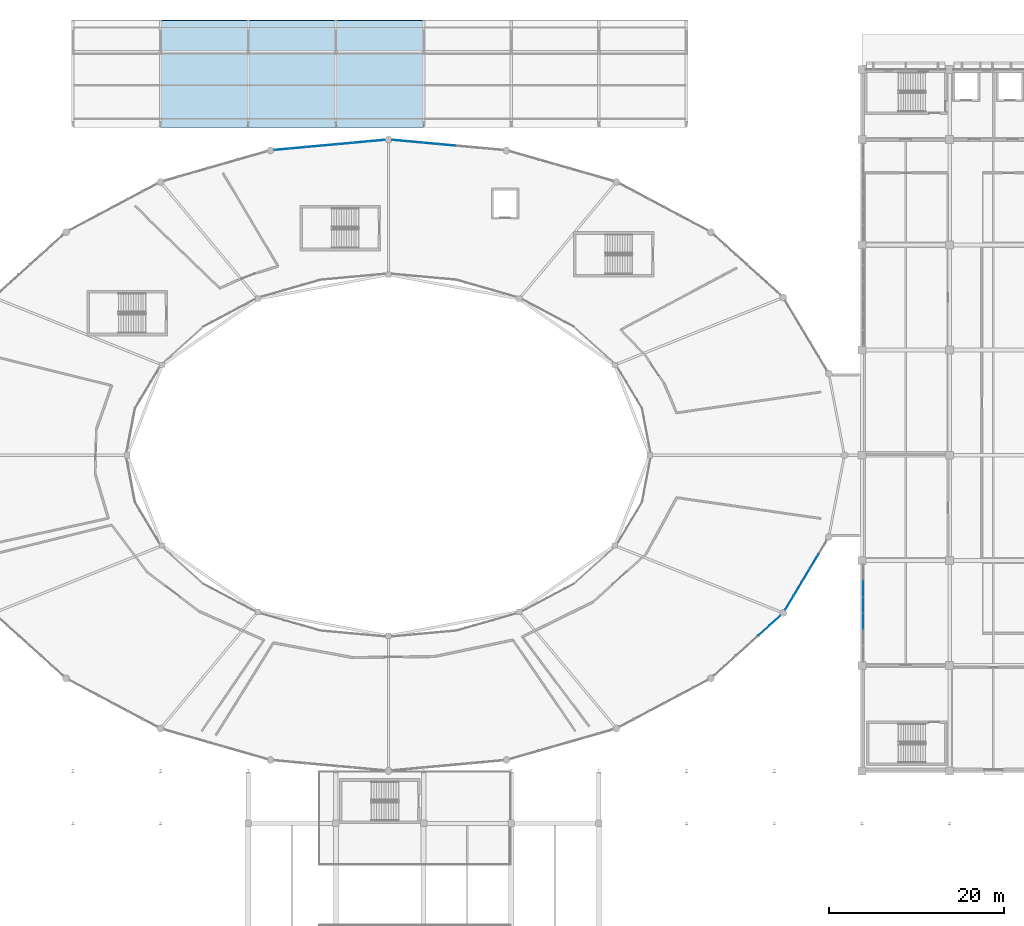
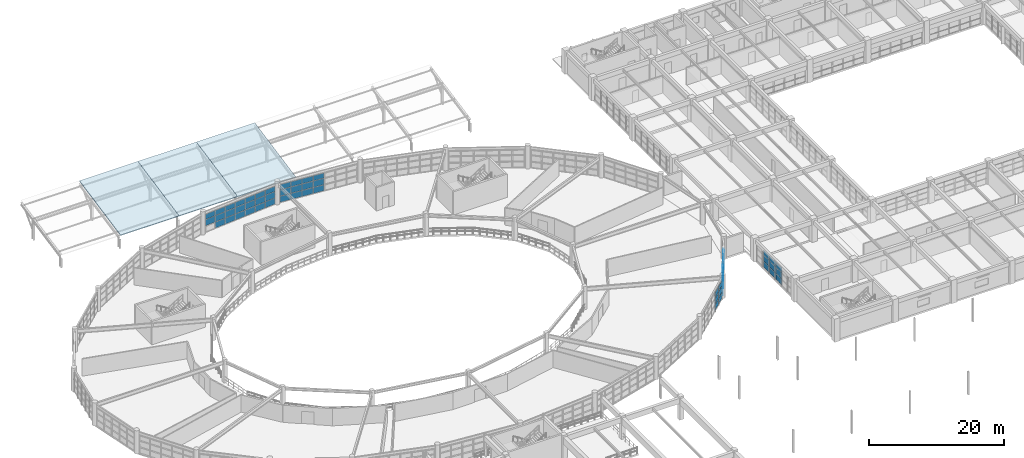
# One storey, part 67 of 100: 59 plates, 3 slabs, 6 elements without a shape of their own.
"""IFC4 building model written with IfcOpenShell, lengths in metres."""

from ifc_helpers import new_model, si_unit, direction, frame, origin, origin_2d, place, context, subcontext, project, spatial, polyline, rectangle, outline, extrude, material, layer, layer_set, type_object, element, aggregate, save


model = new_model("IFC4")

# Units and contexts
model_context = context("Model", 3, precision=1e-05, world=origin(), true_north=direction((0.0, 1.0)))
body_context = subcontext(model_context, "Body", "Model", "MODEL_VIEW")
ifc_project = project(units=[si_unit("LENGTHUNIT", "METRE"), si_unit("AREAUNIT", "SQUARE_METRE"), si_unit("VOLUMEUNIT", "CUBIC_METRE"), si_unit("PLANEANGLEUNIT", "RADIAN"), si_unit("MASSUNIT", "GRAM", prefix="KILO")], contexts=[model_context])

# Site, building, storey
site_placement = place(None, origin())
site = spatial("IfcSite", under=ifc_project, at=site_placement, CompositionType="ELEMENT")
building_placement = place(site_placement, origin())
building = spatial("IfcBuilding", under=site, at=building_placement, Name="Kivolera Central Railway Station", CompositionType="ELEMENT")
storey_placement = place(building_placement, frame((0.0, 0.0, 5.39990234375)))
storey = spatial("IfcBuildingStorey", under=building, at=storey_placement, Name="L01", CompositionType="ELEMENT", Elevation=5.39990234375)

# Curtain wall, plates
ifc_material_1 = material(Name="Anodised aluminium", Category="aluminium")
ifc_layer_1 = layer(ifc_material_1, 0.179931640625, Name="Anodised aluminium")
ifc_layer_set_1 = layer_set([ifc_layer_1], Name="Anodised aluminium")
curtain_wall_type_1 = type_object("IfcCurtainWallType", Name="CW-SYS-12", PredefinedType="NOTDEFINED", material=ifc_layer_set_1)
curtain_wall_1_placement = place(storey_placement, origin())
curtain_wall_1 = element("IfcCurtainWall", 1, at=curtain_wall_1_placement, inside=storey, type_object=curtain_wall_type_1, Name="L01 Curtain Wall CW-L01-OVL-05", PredefinedType="NOTDEFINED")
ifc_material_2 = material(Name="Double low-E laminated glass", Category="glass")
ifc_layer_2 = layer(ifc_material_2, 0.02587890625, Name="Double low-E laminated glass")
ifc_layer_set_2 = layer_set([ifc_layer_2], Name="Double low-E laminated glass")
plate_type_1 = type_object("IfcPlateType", Name="CWP-GLZ-1", PredefinedType="CURTAIN_PANEL", material=ifc_layer_set_2)
plate_1_placement = place(storey_placement, frame((65.31982421875, 125.8798828125, 0.05810546875), z_axis=(0.0, 0.0, 1.0), x_axis=(0.995866087555, -0.090833560193, 0.0)))
plate_1 = element("IfcPlate", 2, at=plate_1_placement, type_object=plate_type_1, Name="CW-12 panel 1.1", PredefinedType="CURTAIN_PANEL", context=body_context, shape_type="SweptSolid", body=[
    extrude(rectangle(XDim=1.735595703125, YDim=0.02587890625, at=origin_2d()), origin(), (0.0, 0.0, 1.0), 1.087890625),
])
plate_2_placement = place(storey_placement, frame((65.31982421875, 125.8798828125, 1.192138671875), z_axis=(0.0, 0.0, 1.0), x_axis=(0.995866087555, -0.090833560193, 0.0)))
plate_2 = element("IfcPlate", 3, at=plate_2_placement, type_object=plate_type_1, Name="CW-12 panel 1.2", PredefinedType="CURTAIN_PANEL", context=body_context, shape_type="SweptSolid", body=[
    extrude(rectangle(XDim=1.735595703125, YDim=0.02587890625, at=origin_2d()), origin(), (0.0, 0.0, 1.0), 1.123046875),
])
plate_3_placement = place(storey_placement, frame((65.31982421875, 125.8798828125, 2.361083984375), z_axis=(0.0, 0.0, 1.0), x_axis=(0.995866087555, -0.090833560193, 0.0)))
plate_3 = element("IfcPlate", 4, at=plate_3_placement, type_object=plate_type_1, Name="CW-12 panel 1.3", PredefinedType="CURTAIN_PANEL", context=body_context, shape_type="SweptSolid", body=[
    extrude(rectangle(XDim=1.735595703125, YDim=0.02587890625, at=origin_2d()), origin(), (0.0, 0.0, 1.0), 0.9208984375),
])
plate_4_placement = place(storey_placement, frame((67.111572265625, 125.716552734375, 0.05810546875), z_axis=(0.0, 0.0, 1.0), x_axis=(0.995866087555, -0.090833560193, 0.0)))
plate_4 = element("IfcPlate", 5, at=plate_4_placement, type_object=plate_type_1, Name="CW-12 panel 2.1", PredefinedType="CURTAIN_PANEL", context=body_context, shape_type="SweptSolid", body=[
    extrude(rectangle(XDim=1.7705078125, YDim=0.02587890625, at=origin_2d()), origin(), (0.0, 0.0, 1.0), 1.087890625),
])
plate_5_placement = place(storey_placement, frame((67.111572265625, 125.716552734375, 1.192138671875), z_axis=(0.0, 0.0, 1.0), x_axis=(0.995866087555, -0.090833560193, 0.0)))
plate_5 = element("IfcPlate", 6, at=plate_5_placement, type_object=plate_type_1, Name="CW-12 panel 2.2", PredefinedType="CURTAIN_PANEL", context=body_context, shape_type="SweptSolid", body=[
    extrude(rectangle(XDim=1.7705078125, YDim=0.02587890625, at=origin_2d()), origin(), (0.0, 0.0, 1.0), 1.123046875),
])
plate_6_placement = place(storey_placement, frame((67.111572265625, 125.716552734375, 2.361083984375), z_axis=(0.0, 0.0, 1.0), x_axis=(0.995866087555, -0.090833560193, 0.0)))
plate_6 = element("IfcPlate", 7, at=plate_6_placement, type_object=plate_type_1, Name="CW-12 panel 2.3", PredefinedType="CURTAIN_PANEL", context=body_context, shape_type="SweptSolid", body=[
    extrude(rectangle(XDim=1.7705078125, YDim=0.02587890625, at=origin_2d()), origin(), (0.0, 0.0, 1.0), 0.9208984375),
])
plate_7_placement = place(storey_placement, frame((68.92041015625, 125.551513671875, 0.05810546875), z_axis=(0.0, 0.0, 1.0), x_axis=(0.995866087555, -0.090833560193, 0.0)))
plate_7 = element("IfcPlate", 8, at=plate_7_placement, type_object=plate_type_1, Name="CW-12 panel 3.1", PredefinedType="CURTAIN_PANEL", context=body_context, shape_type="SweptSolid", body=[
    extrude(rectangle(XDim=1.7705078125, YDim=0.02587890625, at=origin_2d()), origin(), (0.0, 0.0, 1.0), 1.087890625),
])
plate_8_placement = place(storey_placement, frame((68.92041015625, 125.551513671875, 1.192138671875), z_axis=(0.0, 0.0, 1.0), x_axis=(0.995866087555, -0.090833560193, 0.0)))
plate_8 = element("IfcPlate", 9, at=plate_8_placement, type_object=plate_type_1, Name="CW-12 panel 3.2", PredefinedType="CURTAIN_PANEL", context=body_context, shape_type="SweptSolid", body=[
    extrude(rectangle(XDim=1.7705078125, YDim=0.02587890625, at=origin_2d()), origin(), (0.0, 0.0, 1.0), 1.123046875),
])
plate_9_placement = place(storey_placement, frame((68.92041015625, 125.551513671875, 2.361083984375), z_axis=(0.0, 0.0, 1.0), x_axis=(0.995866087555, -0.090833560193, 0.0)))
plate_9 = element("IfcPlate", 10, at=plate_9_placement, type_object=plate_type_1, Name="CW-12 panel 3.3", PredefinedType="CURTAIN_PANEL", context=body_context, shape_type="SweptSolid", body=[
    extrude(rectangle(XDim=1.7705078125, YDim=0.02587890625, at=origin_2d()), origin(), (0.0, 0.0, 1.0), 0.9208984375),
])
plate_10_placement = place(storey_placement, frame((70.7294921875, 125.386474609375, 0.05810546875), z_axis=(0.0, 0.0, 1.0), x_axis=(0.995866087555, -0.090833560193, 0.0)))
plate_10 = element("IfcPlate", 11, at=plate_10_placement, type_object=plate_type_1, Name="CW-12 panel 4.1", PredefinedType="CURTAIN_PANEL", context=body_context, shape_type="SweptSolid", body=[
    extrude(rectangle(XDim=1.7705078125, YDim=0.02587890625, at=origin_2d()), origin(), (0.0, 0.0, 1.0), 1.087890625),
])
plate_11_placement = place(storey_placement, frame((70.7294921875, 125.386474609375, 1.192138671875), z_axis=(0.0, 0.0, 1.0), x_axis=(0.995866087555, -0.090833560193, 0.0)))
plate_11 = element("IfcPlate", 12, at=plate_11_placement, type_object=plate_type_1, Name="CW-12 panel 4.2", PredefinedType="CURTAIN_PANEL", context=body_context, shape_type="SweptSolid", body=[
    extrude(rectangle(XDim=1.7705078125, YDim=0.02587890625, at=origin_2d()), origin(), (0.0, 0.0, 1.0), 1.123046875),
])
plate_12_placement = place(storey_placement, frame((70.7294921875, 125.386474609375, 2.361083984375), z_axis=(0.0, 0.0, 1.0), x_axis=(0.995866087555, -0.090833560193, 0.0)))
plate_12 = element("IfcPlate", 13, at=plate_12_placement, type_object=plate_type_1, Name="CW-12 panel 4.3", PredefinedType="CURTAIN_PANEL", context=body_context, shape_type="SweptSolid", body=[
    extrude(rectangle(XDim=1.7705078125, YDim=0.02587890625, at=origin_2d()), origin(), (0.0, 0.0, 1.0), 0.9208984375),
])
aggregate(curtain_wall_1, [plate_1, plate_2, plate_3, plate_4, plate_5, plate_6, plate_7, plate_8, plate_9, plate_10, plate_11, plate_12])

curtain_wall_2_placement = place(storey_placement, origin())
curtain_wall_2 = element("IfcCurtainWall", 14, at=curtain_wall_2_placement, inside=storey, type_object=curtain_wall_type_1, Name="L01 Curtain Wall CW-L01-OVL-06", PredefinedType="NOTDEFINED")
ifc_layer_3 = layer(ifc_material_2, 0.030029296875, Name="Double low-E laminated glass")
ifc_layer_set_3 = layer_set([ifc_layer_3], Name="Double low-E laminated glass")
plate_type_2 = type_object("IfcPlateType", Name="CWP-GLZ-2", PredefinedType="CURTAIN_PANEL", material=ifc_layer_set_3)
plate_13_placement = place(storey_placement, frame((51.86083984375, 124.89306640625, 1.192138671875), z_axis=(0.0, 0.0, 1.0), x_axis=(0.995866087555, 0.090833560193, 0.0)))
plate_13 = element("IfcPlate", 15, at=plate_13_placement, type_object=plate_type_2, Name="CW-12 panel 1.2", PredefinedType="CURTAIN_PANEL", context=body_context, shape_type="SweptSolid", body=[
    extrude(rectangle(XDim=1.735595703125, YDim=0.030029296875, at=origin_2d()), origin(), (0.0, 0.0, 1.0), 1.123046875),
])
plate_14_placement = place(storey_placement, frame((51.86083984375, 124.89306640625, 2.361083984375), z_axis=(0.0, 0.0, 1.0), x_axis=(0.995866087555, 0.090833560193, 0.0)))
plate_14 = element("IfcPlate", 16, at=plate_14_placement, type_object=plate_type_2, Name="CW-12 panel 1.3", PredefinedType="CURTAIN_PANEL", context=body_context, shape_type="SweptSolid", body=[
    extrude(rectangle(XDim=1.735595703125, YDim=0.030029296875, at=origin_2d()), origin(), (0.0, 0.0, 1.0), 0.9208984375),
])
plate_15_placement = place(storey_placement, frame((53.652587890625, 125.056396484375, 0.05810546875), z_axis=(0.0, 0.0, 1.0), x_axis=(0.995866087555, 0.090833560193, 0.0)))
plate_15 = element("IfcPlate", 17, at=plate_15_placement, type_object=plate_type_2, Name="CW-12 panel 2.1", PredefinedType="CURTAIN_PANEL", context=body_context, shape_type="SweptSolid", body=[
    extrude(rectangle(XDim=1.7705078125, YDim=0.030029296875, at=origin_2d()), origin(), (0.0, 0.0, 1.0), 1.087890625),
])
plate_16_placement = place(storey_placement, frame((53.652587890625, 125.056396484375, 1.192138671875), z_axis=(0.0, 0.0, 1.0), x_axis=(0.995866087555, 0.090833560193, 0.0)))
plate_16 = element("IfcPlate", 18, at=plate_16_placement, type_object=plate_type_2, Name="CW-12 panel 2.2", PredefinedType="CURTAIN_PANEL", context=body_context, shape_type="SweptSolid", body=[
    extrude(rectangle(XDim=1.7705078125, YDim=0.030029296875, at=origin_2d()), origin(), (0.0, 0.0, 1.0), 1.123046875),
])
plate_17_placement = place(storey_placement, frame((53.652587890625, 125.056396484375, 2.361083984375), z_axis=(0.0, 0.0, 1.0), x_axis=(0.995866087555, 0.090833560193, 0.0)))
plate_17 = element("IfcPlate", 19, at=plate_17_placement, type_object=plate_type_2, Name="CW-12 panel 2.3", PredefinedType="CURTAIN_PANEL", context=body_context, shape_type="SweptSolid", body=[
    extrude(rectangle(XDim=1.7705078125, YDim=0.030029296875, at=origin_2d()), origin(), (0.0, 0.0, 1.0), 0.9208984375),
])
plate_18_placement = place(storey_placement, frame((55.46142578125, 125.221435546875, 0.05810546875), z_axis=(0.0, 0.0, 1.0), x_axis=(0.995866087555, 0.090833560193, 0.0)))
plate_18 = element("IfcPlate", 20, at=plate_18_placement, type_object=plate_type_2, Name="CW-12 panel 3.1", PredefinedType="CURTAIN_PANEL", context=body_context, shape_type="SweptSolid", body=[
    extrude(rectangle(XDim=1.7705078125, YDim=0.030029296875, at=origin_2d()), origin(), (0.0, 0.0, 1.0), 1.087890625),
])
plate_19_placement = place(storey_placement, frame((55.46142578125, 125.221435546875, 1.192138671875), z_axis=(0.0, 0.0, 1.0), x_axis=(0.995866087555, 0.090833560193, 0.0)))
plate_19 = element("IfcPlate", 21, at=plate_19_placement, type_object=plate_type_2, Name="CW-12 panel 3.2", PredefinedType="CURTAIN_PANEL", context=body_context, shape_type="SweptSolid", body=[
    extrude(rectangle(XDim=1.7705078125, YDim=0.030029296875, at=origin_2d()), origin(), (0.0, 0.0, 1.0), 1.123046875),
])
plate_20_placement = place(storey_placement, frame((55.46142578125, 125.221435546875, 2.361083984375), z_axis=(0.0, 0.0, 1.0), x_axis=(0.995866087555, 0.090833560193, 0.0)))
plate_20 = element("IfcPlate", 22, at=plate_20_placement, type_object=plate_type_2, Name="CW-12 panel 3.3", PredefinedType="CURTAIN_PANEL", context=body_context, shape_type="SweptSolid", body=[
    extrude(rectangle(XDim=1.7705078125, YDim=0.030029296875, at=origin_2d()), origin(), (0.0, 0.0, 1.0), 0.9208984375),
])
plate_21_placement = place(storey_placement, frame((57.2705078125, 125.386474609375, 0.05810546875), z_axis=(0.0, 0.0, 1.0), x_axis=(0.995866087555, 0.090833560193, 0.0)))
plate_21 = element("IfcPlate", 23, at=plate_21_placement, type_object=plate_type_2, Name="CW-12 panel 4.1", PredefinedType="CURTAIN_PANEL", context=body_context, shape_type="SweptSolid", body=[
    extrude(rectangle(XDim=1.7705078125, YDim=0.030029296875, at=origin_2d()), origin(), (0.0, 0.0, 1.0), 1.087890625),
])
plate_22_placement = place(storey_placement, frame((57.2705078125, 125.386474609375, 1.192138671875), z_axis=(0.0, 0.0, 1.0), x_axis=(0.995866087555, 0.090833560193, 0.0)))
plate_22 = element("IfcPlate", 24, at=plate_22_placement, type_object=plate_type_2, Name="CW-12 panel 4.2", PredefinedType="CURTAIN_PANEL", context=body_context, shape_type="SweptSolid", body=[
    extrude(rectangle(XDim=1.7705078125, YDim=0.030029296875, at=origin_2d()), origin(), (0.0, 0.0, 1.0), 1.123046875),
])
plate_23_placement = place(storey_placement, frame((57.2705078125, 125.386474609375, 2.361083984375), z_axis=(0.0, 0.0, 1.0), x_axis=(0.995866087555, 0.090833560193, 0.0)))
plate_23 = element("IfcPlate", 25, at=plate_23_placement, type_object=plate_type_2, Name="CW-12 panel 4.3", PredefinedType="CURTAIN_PANEL", context=body_context, shape_type="SweptSolid", body=[
    extrude(rectangle(XDim=1.7705078125, YDim=0.030029296875, at=origin_2d()), origin(), (0.0, 0.0, 1.0), 0.9208984375),
])
plate_24_placement = place(storey_placement, frame((59.07958984375, 125.551513671875, 0.05810546875), z_axis=(0.0, 0.0, 1.0), x_axis=(0.995866087555, 0.090833560193, 0.0)))
plate_24 = element("IfcPlate", 26, at=plate_24_placement, type_object=plate_type_2, Name="CW-12 panel 5.1", PredefinedType="CURTAIN_PANEL", context=body_context, shape_type="SweptSolid", body=[
    extrude(rectangle(XDim=1.7705078125, YDim=0.030029296875, at=origin_2d()), origin(), (0.0, 0.0, 1.0), 1.087890625),
])
plate_25_placement = place(storey_placement, frame((59.07958984375, 125.551513671875, 1.192138671875), z_axis=(0.0, 0.0, 1.0), x_axis=(0.995866087555, 0.090833560193, 0.0)))
plate_25 = element("IfcPlate", 27, at=plate_25_placement, type_object=plate_type_2, Name="CW-12 panel 5.2", PredefinedType="CURTAIN_PANEL", context=body_context, shape_type="SweptSolid", body=[
    extrude(rectangle(XDim=1.7705078125, YDim=0.030029296875, at=origin_2d()), origin(), (0.0, 0.0, 1.0), 1.123046875),
])
plate_26_placement = place(storey_placement, frame((59.07958984375, 125.551513671875, 2.361083984375), z_axis=(0.0, 0.0, 1.0), x_axis=(0.995866087555, 0.090833560193, 0.0)))
plate_26 = element("IfcPlate", 28, at=plate_26_placement, type_object=plate_type_2, Name="CW-12 panel 5.3", PredefinedType="CURTAIN_PANEL", context=body_context, shape_type="SweptSolid", body=[
    extrude(rectangle(XDim=1.7705078125, YDim=0.030029296875, at=origin_2d()), origin(), (0.0, 0.0, 1.0), 0.9208984375),
])
plate_27_placement = place(storey_placement, frame((60.888427734375, 125.716552734375, 0.05810546875), z_axis=(0.0, 0.0, 1.0), x_axis=(0.995866087555, 0.090833560193, 0.0)))
plate_27 = element("IfcPlate", 29, at=plate_27_placement, type_object=plate_type_2, Name="CW-12 panel 6.1", PredefinedType="CURTAIN_PANEL", context=body_context, shape_type="SweptSolid", body=[
    extrude(rectangle(XDim=1.7705078125, YDim=0.030029296875, at=origin_2d()), origin(), (0.0, 0.0, 1.0), 1.087890625),
])
plate_28_placement = place(storey_placement, frame((60.888427734375, 125.716552734375, 1.192138671875), z_axis=(0.0, 0.0, 1.0), x_axis=(0.995866087555, 0.090833560193, 0.0)))
plate_28 = element("IfcPlate", 30, at=plate_28_placement, type_object=plate_type_2, Name="CW-12 panel 6.2", PredefinedType="CURTAIN_PANEL", context=body_context, shape_type="SweptSolid", body=[
    extrude(rectangle(XDim=1.7705078125, YDim=0.030029296875, at=origin_2d()), origin(), (0.0, 0.0, 1.0), 1.123046875),
])
plate_29_placement = place(storey_placement, frame((60.888427734375, 125.716552734375, 2.361083984375), z_axis=(0.0, 0.0, 1.0), x_axis=(0.995866087555, 0.090833560193, 0.0)))
plate_29 = element("IfcPlate", 31, at=plate_29_placement, type_object=plate_type_2, Name="CW-12 panel 6.3", PredefinedType="CURTAIN_PANEL", context=body_context, shape_type="SweptSolid", body=[
    extrude(rectangle(XDim=1.7705078125, YDim=0.030029296875, at=origin_2d()), origin(), (0.0, 0.0, 1.0), 0.9208984375),
])
plate_30_placement = place(storey_placement, frame((62.68017578125, 125.8798828125, 0.05810546875), z_axis=(0.0, 0.0, 1.0), x_axis=(0.995866087555, 0.090833560193, 0.0)))
plate_30 = element("IfcPlate", 32, at=plate_30_placement, type_object=plate_type_2, Name="CW-12 panel 7.1", PredefinedType="CURTAIN_PANEL", context=body_context, shape_type="SweptSolid", body=[
    extrude(rectangle(XDim=1.735595703125, YDim=0.030029296875, at=origin_2d()), origin(), (0.0, 0.0, 1.0), 1.087890625),
])
plate_31_placement = place(storey_placement, frame((62.68017578125, 125.8798828125, 1.192138671875), z_axis=(0.0, 0.0, 1.0), x_axis=(0.995866087555, 0.090833560193, 0.0)))
plate_31 = element("IfcPlate", 33, at=plate_31_placement, type_object=plate_type_2, Name="CW-12 panel 7.2", PredefinedType="CURTAIN_PANEL", context=body_context, shape_type="SweptSolid", body=[
    extrude(rectangle(XDim=1.735595703125, YDim=0.030029296875, at=origin_2d()), origin(), (0.0, 0.0, 1.0), 1.123046875),
])
plate_32_placement = place(storey_placement, frame((62.68017578125, 125.8798828125, 2.361083984375), z_axis=(0.0, 0.0, 1.0), x_axis=(0.995866087555, 0.090833560193, 0.0)))
plate_32 = element("IfcPlate", 34, at=plate_32_placement, type_object=plate_type_2, Name="CW-12 panel 7.3", PredefinedType="CURTAIN_PANEL", context=body_context, shape_type="SweptSolid", body=[
    extrude(rectangle(XDim=1.735595703125, YDim=0.030029296875, at=origin_2d()), origin(), (0.0, 0.0, 1.0), 0.9208984375),
])
aggregate(curtain_wall_2, [plate_13, plate_14, plate_15, plate_16, plate_17, plate_18, plate_19, plate_20, plate_21, plate_22, plate_23, plate_24, plate_25, plate_26, plate_27, plate_28, plate_29, plate_30, plate_31, plate_32])

ifc_layer_4 = layer(ifc_material_1, 0.179931640625, Name="Anodised aluminium")
ifc_layer_set_4 = layer_set([ifc_layer_4], Name="Anodised aluminium")
curtain_wall_type_2 = type_object("IfcCurtainWallType", Name="CW-SYS-26", PredefinedType="NOTDEFINED", material=ifc_layer_set_4)
curtain_wall_3_placement = place(storey_placement, origin())
curtain_wall_3 = element("IfcCurtainWall", 35, at=curtain_wall_3_placement, inside=storey, type_object=curtain_wall_type_2, Name="L01 Curtain Wall CW-L01-WEST-F", PredefinedType="NOTDEFINED")
plate_33_placement = place(storey_placement, frame((118.159912109375, 71.07421875, 0.05810546875), z_axis=(0.0, 0.0, 1.0), x_axis=(0.0, 1.0, 0.0)))
plate_33 = element("IfcPlate", 36, at=plate_33_placement, type_object=plate_type_2, Name="CW-26 panel 3.1", PredefinedType="CURTAIN_PANEL", context=body_context, shape_type="SweptSolid", body=[
    extrude(rectangle(XDim=1.8056640625, YDim=0.030029296875, at=origin_2d()), origin(), (0.0, 0.0, 1.0), 1.04541015625),
])
plate_34_placement = place(storey_placement, frame((118.159912109375, 71.07421875, 1.1494140625), z_axis=(0.0, 0.0, 1.0), x_axis=(0.0, 1.0, 0.0)))
plate_34 = element("IfcPlate", 37, at=plate_34_placement, type_object=plate_type_2, Name="CW-26 panel 3.2", PredefinedType="CURTAIN_PANEL", context=body_context, shape_type="SweptSolid", body=[
    extrude(rectangle(XDim=1.8056640625, YDim=0.030029296875, at=origin_2d()), origin(), (0.0, 0.0, 1.0), 1.080322265625),
])
plate_35_placement = place(storey_placement, frame((118.159912109375, 71.07421875, 2.27587890625), z_axis=(0.0, 0.0, 1.0), x_axis=(0.0, 1.0, 0.0)))
plate_35 = element("IfcPlate", 38, at=plate_35_placement, type_object=plate_type_2, Name="CW-26 panel 3.3", PredefinedType="CURTAIN_PANEL", context=body_context, shape_type="SweptSolid", body=[
    extrude(rectangle(XDim=1.8056640625, YDim=0.030029296875, at=origin_2d()), origin(), (0.0, 0.0, 1.0), 0.884521484375),
])
plate_36_placement = place(storey_placement, frame((118.159912109375, 72.92578125, 0.05810546875), z_axis=(0.0, 0.0, 1.0), x_axis=(0.0, 1.0, 0.0)))
plate_36 = element("IfcPlate", 39, at=plate_36_placement, type_object=plate_type_2, Name="CW-26 panel 4.1", PredefinedType="CURTAIN_PANEL", context=body_context, shape_type="SweptSolid", body=[
    extrude(rectangle(XDim=1.8056640625, YDim=0.030029296875, at=origin_2d()), origin(), (0.0, 0.0, 1.0), 1.04541015625),
])
plate_37_placement = place(storey_placement, frame((118.159912109375, 72.92578125, 1.1494140625), z_axis=(0.0, 0.0, 1.0), x_axis=(0.0, 1.0, 0.0)))
plate_37 = element("IfcPlate", 40, at=plate_37_placement, type_object=plate_type_2, Name="CW-26 panel 4.2", PredefinedType="CURTAIN_PANEL", context=body_context, shape_type="SweptSolid", body=[
    extrude(rectangle(XDim=1.8056640625, YDim=0.030029296875, at=origin_2d()), origin(), (0.0, 0.0, 1.0), 1.080322265625),
])
plate_38_placement = place(storey_placement, frame((118.159912109375, 72.92578125, 2.27587890625), z_axis=(0.0, 0.0, 1.0), x_axis=(0.0, 1.0, 0.0)))
plate_38 = element("IfcPlate", 41, at=plate_38_placement, type_object=plate_type_2, Name="CW-26 panel 4.3", PredefinedType="CURTAIN_PANEL", context=body_context, shape_type="SweptSolid", body=[
    extrude(rectangle(XDim=1.8056640625, YDim=0.030029296875, at=origin_2d()), origin(), (0.0, 0.0, 1.0), 0.884521484375),
])
plate_39_placement = place(storey_placement, frame((118.159912109375, 74.777587890625, 0.05810546875), z_axis=(0.0, 0.0, 1.0), x_axis=(0.0, 1.0, 0.0)))
plate_39 = element("IfcPlate", 42, at=plate_39_placement, type_object=plate_type_2, Name="CW-26 panel 5.1", PredefinedType="CURTAIN_PANEL", context=body_context, shape_type="SweptSolid", body=[
    extrude(rectangle(XDim=1.8056640625, YDim=0.030029296875, at=origin_2d()), origin(), (0.0, 0.0, 1.0), 1.04541015625),
])
plate_40_placement = place(storey_placement, frame((118.159912109375, 74.777587890625, 1.1494140625), z_axis=(0.0, 0.0, 1.0), x_axis=(0.0, 1.0, 0.0)))
plate_40 = element("IfcPlate", 43, at=plate_40_placement, type_object=plate_type_2, Name="CW-26 panel 5.2", PredefinedType="CURTAIN_PANEL", context=body_context, shape_type="SweptSolid", body=[
    extrude(rectangle(XDim=1.8056640625, YDim=0.030029296875, at=origin_2d()), origin(), (0.0, 0.0, 1.0), 1.080322265625),
])
plate_41_placement = place(storey_placement, frame((118.159912109375, 74.777587890625, 2.27587890625), z_axis=(0.0, 0.0, 1.0), x_axis=(0.0, 1.0, 0.0)))
plate_41 = element("IfcPlate", 44, at=plate_41_placement, type_object=plate_type_2, Name="CW-26 panel 5.3", PredefinedType="CURTAIN_PANEL", context=body_context, shape_type="SweptSolid", body=[
    extrude(rectangle(XDim=1.8056640625, YDim=0.030029296875, at=origin_2d()), origin(), (0.0, 0.0, 1.0), 0.884521484375),
])
aggregate(curtain_wall_3, [plate_33, plate_34, plate_35, plate_36, plate_37, plate_38, plate_39, plate_40, plate_41])

ifc_layer_5 = layer(ifc_material_1, 0.179931640625, Name="Anodised aluminium")
ifc_layer_set_5 = layer_set([ifc_layer_5], Name="Anodised aluminium")
curtain_wall_type_3 = type_object("IfcCurtainWallType", Name="CW-SYS-05", PredefinedType="NOTDEFINED", material=ifc_layer_set_5)
curtain_wall_4_placement = place(storey_placement, origin())
curtain_wall_4 = element("IfcCurtainWall", 45, at=curtain_wall_4_placement, inside=storey, type_object=curtain_wall_type_3, Name="L01 Curtain Wall CW-L01-OVL-21", PredefinedType="NOTDEFINED")
ifc_layer_6 = layer(ifc_material_2, 0.033935546875, Name="Double low-E laminated glass")
ifc_layer_set_6 = layer_set([ifc_layer_6], Name="Double low-E laminated glass")
plate_type_3 = type_object("IfcPlateType", Name="CWP-GLZ-3", PredefinedType="CURTAIN_PANEL", material=ifc_layer_set_6)
plate_42_placement = place(storey_placement, frame((108.083984375, 71.1435546875, 0.05810546875), z_axis=(0.0, 0.0, 1.0), x_axis=(-0.742431873669, -0.669921572246, 0.0)))
plate_42 = element("IfcPlate", 46, at=plate_42_placement, type_object=plate_type_3, Name="CW-05 panel 1.1", PredefinedType="CURTAIN_PANEL", context=body_context, shape_type="SweptSolid", body=[
    extrude(rectangle(XDim=1.640625, YDim=0.033935546875, at=origin_2d()), origin(), (0.0, 0.0, 1.0), 1.087890625),
])
plate_43_placement = place(storey_placement, frame((108.083984375, 71.1435546875, 1.192138671875), z_axis=(0.0, 0.0, 1.0), x_axis=(-0.742431873669, -0.669921572246, 0.0)))
plate_43 = element("IfcPlate", 47, at=plate_43_placement, type_object=plate_type_3, Name="CW-05 panel 1.2", PredefinedType="CURTAIN_PANEL", context=body_context, shape_type="SweptSolid", body=[
    extrude(rectangle(XDim=1.640625, YDim=0.033935546875, at=origin_2d()), origin(), (0.0, 0.0, 1.0), 1.123046875),
])
plate_44_placement = place(storey_placement, frame((108.083984375, 71.1435546875, 2.361083984375), z_axis=(0.0, 0.0, 1.0), x_axis=(-0.742431873669, -0.669921572246, 0.0)))
plate_44 = element("IfcPlate", 48, at=plate_44_placement, type_object=plate_type_3, Name="CW-05 panel 1.3", PredefinedType="CURTAIN_PANEL", context=body_context, shape_type="SweptSolid", body=[
    extrude(rectangle(XDim=1.640625, YDim=0.033935546875, at=origin_2d()), origin(), (0.0, 0.0, 1.0), 0.9208984375),
])
plate_45_placement = place(storey_placement, frame((106.81884765625, 70.001953125, 0.05810546875), z_axis=(0.0, 0.0, 1.0), x_axis=(-0.742431873669, -0.669921572246, 0.0)))
plate_45 = element("IfcPlate", 49, at=plate_45_placement, type_object=plate_type_3, Name="CW-05 panel 2.1", PredefinedType="CURTAIN_PANEL", context=body_context, shape_type="SweptSolid", body=[
    extrude(rectangle(XDim=1.675537109375, YDim=0.033935546875, at=origin_2d()), origin(), (0.0, 0.0, 1.0), 1.087890625),
])
plate_46_placement = place(storey_placement, frame((106.81884765625, 70.001953125, 1.192138671875), z_axis=(0.0, 0.0, 1.0), x_axis=(-0.742431873669, -0.669921572246, 0.0)))
plate_46 = element("IfcPlate", 50, at=plate_46_placement, type_object=plate_type_3, Name="CW-05 panel 2.2", PredefinedType="CURTAIN_PANEL", context=body_context, shape_type="SweptSolid", body=[
    extrude(rectangle(XDim=1.675537109375, YDim=0.033935546875, at=origin_2d()), origin(), (0.0, 0.0, 1.0), 1.123046875),
])
plate_47_placement = place(storey_placement, frame((106.81884765625, 70.001953125, 2.361083984375), z_axis=(0.0, 0.0, 1.0), x_axis=(-0.742431873669, -0.669921572246, 0.0)))
plate_47 = element("IfcPlate", 51, at=plate_47_placement, type_object=plate_type_3, Name="CW-05 panel 2.3", PredefinedType="CURTAIN_PANEL", context=body_context, shape_type="SweptSolid", body=[
    extrude(rectangle(XDim=1.675537109375, YDim=0.033935546875, at=origin_2d()), origin(), (0.0, 0.0, 1.0), 0.9208984375),
])
aggregate(curtain_wall_4, [plate_42, plate_43, plate_44, plate_45, plate_46, plate_47])

ifc_layer_7 = layer(ifc_material_1, 0.179931640625, Name="Anodised aluminium")
ifc_layer_set_7 = layer_set([ifc_layer_7], Name="Anodised aluminium")
curtain_wall_type_4 = type_object("IfcCurtainWallType", Name="CW-SYS-02", PredefinedType="NOTDEFINED", material=ifc_layer_set_7)
curtain_wall_5_placement = place(storey_placement, origin())
curtain_wall_5 = element("IfcCurtainWall", 52, at=curtain_wall_5_placement, inside=storey, type_object=curtain_wall_type_4, Name="L01 Curtain Wall CW-L01-OVL-22", PredefinedType="NOTDEFINED")
ifc_layer_8 = layer(ifc_material_2, 0.0380859375, Name="Double low-E laminated glass")
ifc_layer_set_8 = layer_set([ifc_layer_8], Name="Double low-E laminated glass")
plate_type_4 = type_object("IfcPlateType", Name="CWP-GLZ-4", PredefinedType="CURTAIN_PANEL", material=ifc_layer_set_8)
plate_48_placement = place(storey_placement, frame((112.58740234375, 77.94091796875, 0.05810546875), z_axis=(0.0, 0.0, 1.0), x_axis=(-0.513453894052, -0.858117182372, 0.0)))
plate_48 = element("IfcPlate", 53, at=plate_48_placement, type_object=plate_type_4, Name="CW-02 panel 2.1", PredefinedType="CURTAIN_PANEL", context=body_context, shape_type="SweptSolid", body=[
    extrude(rectangle(XDim=1.81787109375, YDim=0.0380859375, at=origin_2d()), origin(), (0.0, 0.0, 1.0), 1.087890625),
])
plate_49_placement = place(storey_placement, frame((112.58740234375, 77.94091796875, 1.192138671875), z_axis=(0.0, 0.0, 1.0), x_axis=(-0.513453894052, -0.858117182372, 0.0)))
plate_49 = element("IfcPlate", 54, at=plate_49_placement, type_object=plate_type_4, Name="CW-02 panel 2.2", PredefinedType="CURTAIN_PANEL", context=body_context, shape_type="SweptSolid", body=[
    extrude(rectangle(XDim=1.81787109375, YDim=0.0380859375, at=origin_2d()), origin(), (0.0, 0.0, 1.0), 1.123046875),
])
plate_50_placement = place(storey_placement, frame((112.58740234375, 77.94091796875, 2.361083984375), z_axis=(0.0, 0.0, 1.0), x_axis=(-0.513453894052, -0.858117182372, 0.0)))
plate_50 = element("IfcPlate", 55, at=plate_50_placement, type_object=plate_type_4, Name="CW-02 panel 2.3", PredefinedType="CURTAIN_PANEL", context=body_context, shape_type="SweptSolid", body=[
    extrude(rectangle(XDim=1.81787109375, YDim=0.0380859375, at=origin_2d()), origin(), (0.0, 0.0, 1.0), 0.9208984375),
])
plate_51_placement = place(storey_placement, frame((111.630615234375, 76.341552734375, 0.05810546875), z_axis=(0.0, 0.0, 1.0), x_axis=(-0.513453894052, -0.858117182372, 0.0)))
plate_51 = element("IfcPlate", 56, at=plate_51_placement, type_object=plate_type_4, Name="CW-02 panel 3.1", PredefinedType="CURTAIN_PANEL", context=body_context, shape_type="SweptSolid", body=[
    extrude(rectangle(XDim=1.81787109375, YDim=0.0380859375, at=origin_2d()), origin(), (0.0, 0.0, 1.0), 1.087890625),
])
plate_52_placement = place(storey_placement, frame((111.630615234375, 76.341552734375, 1.192138671875), z_axis=(0.0, 0.0, 1.0), x_axis=(-0.513453894052, -0.858117182372, 0.0)))
plate_52 = element("IfcPlate", 57, at=plate_52_placement, type_object=plate_type_4, Name="CW-02 panel 3.2", PredefinedType="CURTAIN_PANEL", context=body_context, shape_type="SweptSolid", body=[
    extrude(rectangle(XDim=1.81787109375, YDim=0.0380859375, at=origin_2d()), origin(), (0.0, 0.0, 1.0), 1.123046875),
])
plate_53_placement = place(storey_placement, frame((111.630615234375, 76.341552734375, 2.361083984375), z_axis=(0.0, 0.0, 1.0), x_axis=(-0.513453894052, -0.858117182372, 0.0)))
plate_53 = element("IfcPlate", 58, at=plate_53_placement, type_object=plate_type_4, Name="CW-02 panel 3.3", PredefinedType="CURTAIN_PANEL", context=body_context, shape_type="SweptSolid", body=[
    extrude(rectangle(XDim=1.81787109375, YDim=0.0380859375, at=origin_2d()), origin(), (0.0, 0.0, 1.0), 0.9208984375),
])
plate_54_placement = place(storey_placement, frame((110.673583984375, 74.7421875, 0.05810546875), z_axis=(0.0, 0.0, 1.0), x_axis=(-0.513453894052, -0.858117182372, 0.0)))
plate_54 = element("IfcPlate", 59, at=plate_54_placement, type_object=plate_type_4, Name="CW-02 panel 4.1", PredefinedType="CURTAIN_PANEL", context=body_context, shape_type="SweptSolid", body=[
    extrude(rectangle(XDim=1.81787109375, YDim=0.0380859375, at=origin_2d()), origin(), (0.0, 0.0, 1.0), 1.087890625),
])
plate_55_placement = place(storey_placement, frame((110.673583984375, 74.7421875, 1.192138671875), z_axis=(0.0, 0.0, 1.0), x_axis=(-0.513453894052, -0.858117182372, 0.0)))
plate_55 = element("IfcPlate", 60, at=plate_55_placement, type_object=plate_type_4, Name="CW-02 panel 4.2", PredefinedType="CURTAIN_PANEL", context=body_context, shape_type="SweptSolid", body=[
    extrude(rectangle(XDim=1.81787109375, YDim=0.0380859375, at=origin_2d()), origin(), (0.0, 0.0, 1.0), 1.123046875),
])
plate_56_placement = place(storey_placement, frame((110.673583984375, 74.7421875, 2.361083984375), z_axis=(0.0, 0.0, 1.0), x_axis=(-0.513453894052, -0.858117182372, 0.0)))
plate_56 = element("IfcPlate", 61, at=plate_56_placement, type_object=plate_type_4, Name="CW-02 panel 4.3", PredefinedType="CURTAIN_PANEL", context=body_context, shape_type="SweptSolid", body=[
    extrude(rectangle(XDim=1.81787109375, YDim=0.0380859375, at=origin_2d()), origin(), (0.0, 0.0, 1.0), 0.9208984375),
])
plate_57_placement = place(storey_placement, frame((109.7255859375, 73.15771484375, 0.05810546875), z_axis=(0.0, 0.0, 1.0), x_axis=(-0.513453894052, -0.858117182372, 0.0)))
plate_57 = element("IfcPlate", 62, at=plate_57_placement, type_object=plate_type_4, Name="CW-02 panel 5.1", PredefinedType="CURTAIN_PANEL", context=body_context, shape_type="SweptSolid", body=[
    extrude(rectangle(XDim=1.782958984375, YDim=0.0380859375, at=origin_2d()), origin(), (0.0, 0.0, 1.0), 1.087890625),
])
plate_58_placement = place(storey_placement, frame((109.7255859375, 73.15771484375, 1.192138671875), z_axis=(0.0, 0.0, 1.0), x_axis=(-0.513453894052, -0.858117182372, 0.0)))
plate_58 = element("IfcPlate", 63, at=plate_58_placement, type_object=plate_type_4, Name="CW-02 panel 5.2", PredefinedType="CURTAIN_PANEL", context=body_context, shape_type="SweptSolid", body=[
    extrude(rectangle(XDim=1.782958984375, YDim=0.0380859375, at=origin_2d()), origin(), (0.0, 0.0, 1.0), 1.123046875),
])
plate_59_placement = place(storey_placement, frame((109.7255859375, 73.15771484375, 2.361083984375), z_axis=(0.0, 0.0, 1.0), x_axis=(-0.513453894052, -0.858117182372, 0.0)))
plate_59 = element("IfcPlate", 64, at=plate_59_placement, type_object=plate_type_4, Name="CW-02 panel 5.3", PredefinedType="CURTAIN_PANEL", context=body_context, shape_type="SweptSolid", body=[
    extrude(rectangle(XDim=1.782958984375, YDim=0.0380859375, at=origin_2d()), origin(), (0.0, 0.0, 1.0), 0.9208984375),
])
aggregate(curtain_wall_5, [plate_48, plate_49, plate_50, plate_51, plate_52, plate_53, plate_54, plate_55, plate_56, plate_57, plate_58, plate_59])

# Roof, slabs
ifc_material_3 = material(Name="Steel S355", Category="steel")
roof_type = type_object("IfcRoofType", Name="ROOF-SYS-2", PredefinedType="SHED_ROOF", material=ifc_material_3)
roof_placement = place(storey_placement, origin())
roof = element("IfcRoof", 65, at=roof_placement, inside=storey, type_object=roof_type, Name="Forecourt Interchange Sloped Steel Canopy Roof", PredefinedType="SHED_ROOF")
ifc_material_4 = material(Name="Precast concrete C40/50", Category="concrete")
ifc_layer_9 = layer(ifc_material_4, 0.14990234375, Name="Precast concrete C40/50")
ifc_layer_set_9 = layer_set([ifc_layer_9], Name="Precast concrete C40/50")
slab_type = type_object("IfcSlabType", Name="SLB-CAN-150", PredefinedType="ROOF", material=ifc_layer_set_9)
slab_1_placement = place(storey_placement, frame((38.0, 127.39990234375, 2.52001953125), z_axis=(0.0, -0.196127455831, 0.980578411484), x_axis=(1.0, 0.0, 0.0)))
slab_1 = element("IfcSlab", 66, at=slab_1_placement, type_object=slab_type, Name="Forecourt Canopy Sloped Roof Panel 38", PredefinedType="ROOF", context=body_context, shape_type="SweptSolid", body=[
    extrude(outline(polyline([(0.0, 0.0), (10.0, 0.0), (10.0, 12.441835522394781), (0.0, 12.441835522394781), (0.0, 0.0)])), origin(), (0.0, 0.0, -1.0), 0.14990234375),
])
slab_2_placement = place(storey_placement, frame((48.0, 127.39990234375, 2.52001953125), z_axis=(0.0, -0.196127455831, 0.980578411484), x_axis=(1.0, 0.0, 0.0)))
slab_2 = element("IfcSlab", 67, at=slab_2_placement, type_object=slab_type, Name="Forecourt Canopy Sloped Roof Panel 48", PredefinedType="ROOF", context=body_context, shape_type="SweptSolid", body=[
    extrude(outline(polyline([(0.0, 0.0), (10.0, 0.0), (10.0, 12.441835522394781), (0.0, 12.441835522394781), (0.0, 0.0)])), origin(), (0.0, 0.0, -1.0), 0.14990234375),
])
slab_3_placement = place(storey_placement, frame((58.0, 127.39990234375, 2.52001953125), z_axis=(0.0, -0.196127455831, 0.980578411484), x_axis=(1.0, 0.0, 0.0)))
slab_3 = element("IfcSlab", 68, at=slab_3_placement, type_object=slab_type, Name="Forecourt Canopy Sloped Roof Panel 58", PredefinedType="ROOF", context=body_context, shape_type="SweptSolid", body=[
    extrude(outline(polyline([(0.0, 0.0), (10.0, 0.0), (10.0, 12.441835522394781), (0.0, 12.441835522394781), (0.0, 0.0)])), origin(), (0.0, 0.0, -1.0), 0.14990234375),
])
aggregate(roof, [slab_1, slab_2, slab_3])

save(model, "model.ifc")
